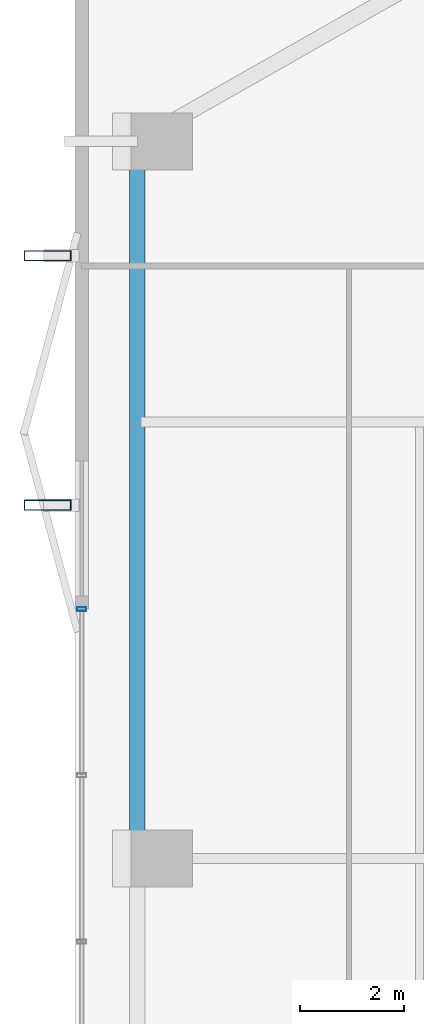
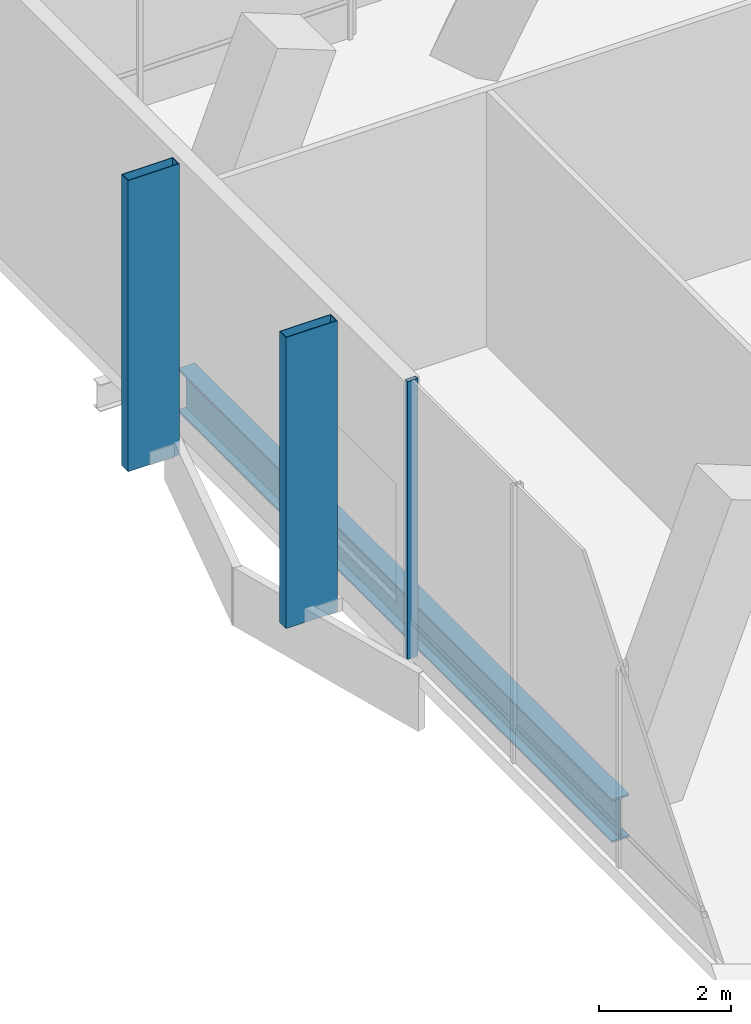
# One storey, part 17 of 33: 3 members, 1 beam, 1 element without a shape of its own.
"""IFC4 building model written with IfcOpenShell, lengths in metres."""

from ifc_helpers import new_model, si_unit, direction, frame, origin, origin_2d, place, context, subcontext, project, spatial, hollow_rectangle, i_section, extrude, material, layer, layer_set, material_profile, profile_set, type_object, element, aggregate, save


model = new_model("IFC4")

# Units and contexts
model_context = context("Model", 3, precision=1e-05, world=origin(), true_north=direction((0.0, 1.0)))
body_context = subcontext(model_context, "Body", "Model", "MODEL_VIEW")
ifc_project = project(units=[si_unit("LENGTHUNIT", "METRE"), si_unit("AREAUNIT", "SQUARE_METRE"), si_unit("VOLUMEUNIT", "CUBIC_METRE"), si_unit("PLANEANGLEUNIT", "RADIAN"), si_unit("MASSUNIT", "GRAM", prefix="KILO")], contexts=[model_context])

# Site, building, storey
site_placement = place(None, origin())
site = spatial("IfcSite", under=ifc_project, at=site_placement, CompositionType="ELEMENT")
building_placement = place(site_placement, origin())
building = spatial("IfcBuilding", under=site, at=building_placement, Name="Belovzor Exchange Tower", CompositionType="ELEMENT")
storey_placement = place(building_placement, frame((0.0, 0.0, 241.199951171875)))
storey = spatial("IfcBuildingStorey", under=building, at=storey_placement, Name="L60", CompositionType="ELEMENT", Elevation=241.199951171875)

# Beam
ifc_material_1 = material(Name="Steel S355", Category="steel")
ifc_material_profile_1 = material_profile(ifc_material_1, i_section(OverallWidth=0.300048828125, OverallDepth=0.800048828125, WebThickness=0.017578125, FlangeThickness=0.032958984375, at=origin_2d()))
ifc_profile_set_1 = profile_set([ifc_material_profile_1], Name="Steel S355")
beam_type = type_object("IfcBeamType", Name="Sky-Lobby Primary Girder HEB 800", PredefinedType="BEAM", material=ifc_profile_set_1)
beam_placement = place(storey_placement, frame((3.0, 42.297119140625, -0.64990234375), z_axis=(0.0, -1.0, 0.0), x_axis=(1.0, 0.0, 0.0)))
element("IfcBeam", 1, at=beam_placement, inside=storey, type_object=beam_type, Name="SG-1 Sky-Lobby Primary Girder HEB 800", PredefinedType="BEAM", context=body_context, shape_type="SweptSolid", body=[
    extrude(i_section(OverallWidth=0.300048828125, OverallDepth=0.800048828125, WebThickness=0.017578125, FlangeThickness=0.032958984375, at=origin_2d()), origin(), (0.0, 0.0, 1.0), 13.195068359375),
])

# Members
ifc_material_2 = material(Name="Extruded Architectural Terracotta on Steel S355 Carrier", Category="masonry")
ifc_material_profile_2 = material_profile(ifc_material_2, hollow_rectangle(XDim=0.199951171875, YDim=0.89990234375, WallThickness=0.011962890625, at=origin_2d()))
ifc_profile_set_2 = profile_set([ifc_material_profile_2], Name="Extruded Architectural Terracotta on Steel S355 Carrier")
member_type_1 = type_object("IfcMemberType", Name="Sweeping Terracotta Baguette Fin Assembly 950", PredefinedType="USERDEFINED", material=ifc_profile_set_2)
for number, where, z_axis, x_axis, name in (
    (2, (1.27490234375, 35.60009765625, -0.25), (0.0, 0.0, 1.0), (0.0, 1.0, 0.0), "FIN-TC095 Terracotta Facade Fin L60 W3"),
    (3, (1.27490234375, 40.39990234375, -0.25), (0.0, 0.0, 1.0), (0.0, 1.0, 0.0), "FIN-TC095 Terracotta Facade Fin L60 W4"),
):
    element("IfcMember", number, at=place(storey_placement, frame(where, z_axis=z_axis, x_axis=x_axis)), inside=storey, type_object=member_type_1, Name=name, ObjectType="FIN", PredefinedType="USERDEFINED", context=body_context, shape_type="SweptSolid", body=[
        extrude(hollow_rectangle(XDim=0.199951171875, YDim=0.89990234375, WallThickness=0.011962890625, at=origin_2d()), origin(), (0.0, 0.0, 1.0), 5.400146484375),
    ])

# Curtain wall, member
ifc_material_3 = material(Name="Anodised Aluminium Framing", Category="aluminium")
ifc_layer = layer(ifc_material_3, 0.239990234375)
ifc_layer_set = layer_set([ifc_layer], Name="Anodised Aluminium Framing")
curtain_wall_type = type_object("IfcCurtainWallType", Name="Sky-Lobby Double-Skin Acoustic Curtain Wall", PredefinedType="NOTDEFINED", material=ifc_layer_set)
curtain_wall_placement = place(storey_placement, origin())
curtain_wall = element("IfcCurtainWall", 4, at=curtain_wall_placement, inside=storey, type_object=curtain_wall_type, Name="CW4 Sky-Lobby Double-Skin Acoustic Curtain Wall L60", PredefinedType="NOTDEFINED")
ifc_material_4 = material(Name="Steel S355", Category="steel")
ifc_material_profile_3 = material_profile(ifc_material_4, hollow_rectangle(XDim=0.074951171875, YDim=0.179931640625, WallThickness=0.0048828125, at=origin_2d()))
ifc_profile_set_3 = profile_set([ifc_material_profile_3], Name="Steel S355")
member_type_2 = type_object("IfcMemberType", Name="Thermally Broken Curtain Wall Mullion 180x75", PredefinedType="MULLION", material=ifc_profile_set_3)
member_placement = place(storey_placement, frame((1.929931640625, 33.60009765625, 0.0), z_axis=(0.0, 0.0, 1.0), x_axis=(0.0, 1.0, 0.0)))
member = element("IfcMember", 5, at=member_placement, type_object=member_type_2, Name="CW-M180 Curtain Wall Mullion 4", PredefinedType="MULLION", context=body_context, shape_type="SweptSolid", body=[
    extrude(hollow_rectangle(XDim=0.074951171875, YDim=0.179931640625, WallThickness=0.0048828125, at=origin_2d()), origin(), (0.0, 0.0, 1.0), 5.150146484375),
])
aggregate(curtain_wall, [member])

save(model, "model.ifc")
